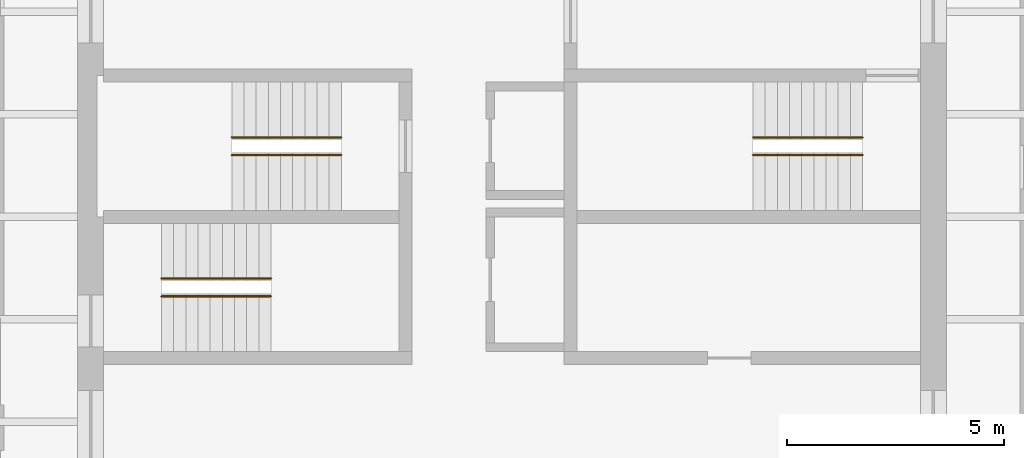
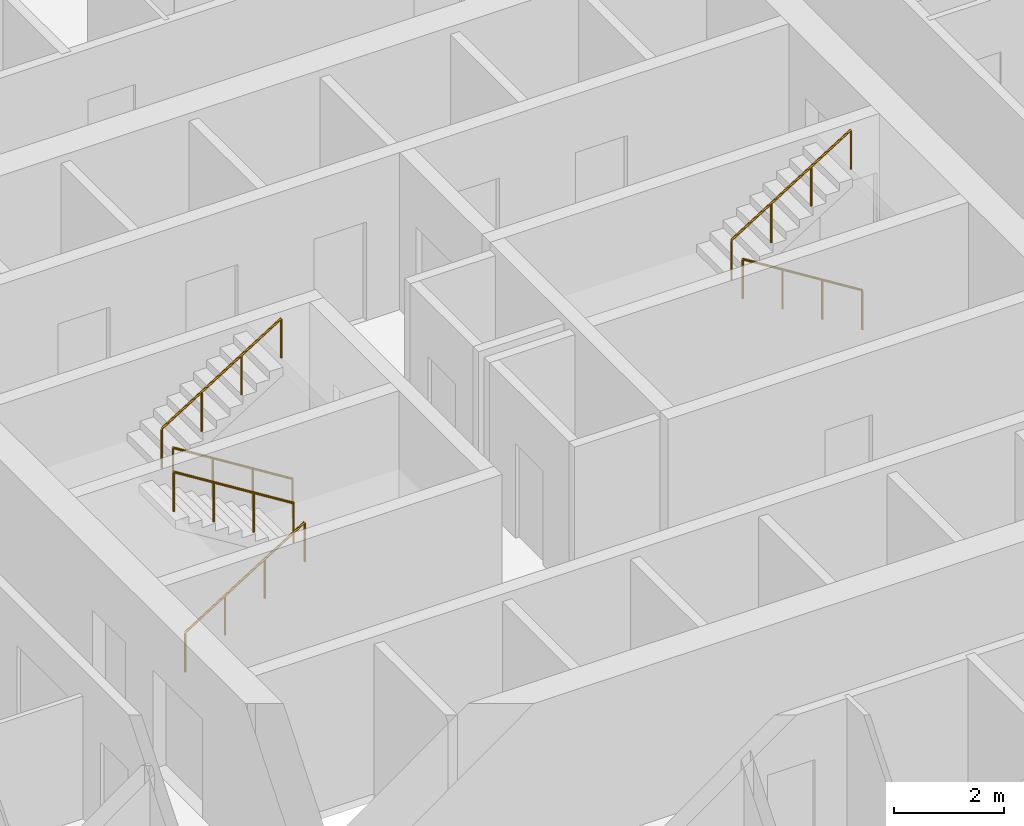
# One storey, part 9 of 9: 6 railings.
"""IFC4 building model written with IfcOpenShell, lengths in metres."""

from ifc_helpers import new_model, si_unit, direction, frame, origin, origin_2d, place, context, subcontext, project, spatial, circle, extrude, material, type_object, element, save


model = new_model("IFC4")

# Units and contexts
model_context = context("Model", 3, precision=1e-05, world=origin(), true_north=direction((0.0, 1.0)))
body_context = subcontext(model_context, "Body", "Model", "MODEL_VIEW")
ifc_project = project(units=[si_unit("LENGTHUNIT", "METRE"), si_unit("AREAUNIT", "SQUARE_METRE"), si_unit("VOLUMEUNIT", "CUBIC_METRE"), si_unit("PLANEANGLEUNIT", "RADIAN"), si_unit("MASSUNIT", "GRAM", prefix="KILO")], contexts=[model_context])

# Site, building, storey
site_placement = place(None, origin())
site = spatial("IfcSite", under=ifc_project, at=site_placement, CompositionType="ELEMENT")
building_placement = place(site_placement, origin())
building = spatial("IfcBuilding", under=site, at=building_placement, Name="Turquesa Mirador Hotel Tower", CompositionType="ELEMENT")
storey_placement = place(building_placement, frame((0.0, 0.0, 93.39990234375)))
storey = spatial("IfcBuildingStorey", under=building, at=storey_placement, Name="L24", CompositionType="ELEMENT", Elevation=93.39990234375)

# Railings
ifc_material = material(Name="Painted steel handrail", Category="steel")
railing_type = type_object("IfcRailingType", Name="HANDRAIL 900 STEEL", PredefinedType="HANDRAIL", material=ifc_material)
railing_1_placement = place(storey_placement, frame((51.070068359375, 46.419921875, 0.175048828125)))
element("IfcRailing", 1, at=railing_1_placement, inside=storey, type_object=railing_type, Name="Handrail ST1", PredefinedType="HANDRAIL", context=body_context, shape_type="SweptSolid", body=[
    extrude(circle(Radius=0.02392578125, at=origin_2d()), frame((0.0, 0.0, 0.8759765625), z_axis=(-0.848007534815, 0.0, 0.529984170421), x_axis=(0.0, -1.0, 0.0)), (0.0, 0.0, 1.0), 2.9716796875),
    extrude(circle(Radius=0.02099609375, at=origin_2d()), origin(), (0.0, 0.0, 1.0), 0.851806640625),
    extrude(circle(Radius=0.02099609375, at=origin_2d()), frame((-0.840087890625, 0.0, 0.52490234375)), (0.0, 0.0, 1.0), 0.851806640625),
    extrude(circle(Radius=0.02099609375, at=origin_2d()), frame((-1.679931640625, 0.0, 1.050048828125)), (0.0, 0.0, 1.0), 0.851806640625),
    extrude(circle(Radius=0.02099609375, at=origin_2d()), frame((-2.52001953125, 0.0, 1.574951171875)), (0.0, 0.0, 1.0), 0.851806640625),
])
for number, where, name in (
    (2, (48.550048828125, 46.830078125, 1.925048828125), "Handrail ST1"),
    (3, (46.929931640625, 43.169921875, 0.175048828125), "Handrail ST2"),
):
    element("IfcRailing", number, at=place(storey_placement, frame(where)), inside=storey, type_object=railing_type, Name=name, PredefinedType="HANDRAIL", context=body_context, shape_type="SweptSolid", body=[
        extrude(circle(Radius=0.02392578125, at=origin_2d()), frame((0.0, 0.0, 0.8759765625), z_axis=(0.848007534815, 0.0, 0.529984170421), x_axis=(0.0, 1.0, 0.0)), (0.0, 0.0, 1.0), 2.9716796875),
        extrude(circle(Radius=0.02099609375, at=origin_2d()), origin(), (0.0, 0.0, 1.0), 0.851806640625),
        extrude(circle(Radius=0.02099609375, at=origin_2d()), frame((0.840087890625, 0.0, 0.52490234375)), (0.0, 0.0, 1.0), 0.851806640625),
        extrude(circle(Radius=0.02099609375, at=origin_2d()), frame((1.679931640625, 0.0, 1.050048828125)), (0.0, 0.0, 1.0), 0.851806640625),
        extrude(circle(Radius=0.02099609375, at=origin_2d()), frame((2.52001953125, 0.0, 1.574951171875)), (0.0, 0.0, 1.0), 0.851806640625),
    ])
for number, where, name in (
    (4, (49.449951171875, 43.580078125, 1.925048828125), "Handrail ST2"),
    (5, (63.070068359375, 46.419921875, 0.175048828125), "Handrail ST3"),
):
    element("IfcRailing", number, at=place(storey_placement, frame(where)), inside=storey, type_object=railing_type, Name=name, PredefinedType="HANDRAIL", context=body_context, shape_type="SweptSolid", body=[
        extrude(circle(Radius=0.02392578125, at=origin_2d()), frame((0.0, 0.0, 0.8759765625), z_axis=(-0.848007534815, 0.0, 0.529984170421), x_axis=(0.0, -1.0, 0.0)), (0.0, 0.0, 1.0), 2.9716796875),
        extrude(circle(Radius=0.02099609375, at=origin_2d()), origin(), (0.0, 0.0, 1.0), 0.851806640625),
        extrude(circle(Radius=0.02099609375, at=origin_2d()), frame((-0.840087890625, 0.0, 0.52490234375)), (0.0, 0.0, 1.0), 0.851806640625),
        extrude(circle(Radius=0.02099609375, at=origin_2d()), frame((-1.679931640625, 0.0, 1.050048828125)), (0.0, 0.0, 1.0), 0.851806640625),
        extrude(circle(Radius=0.02099609375, at=origin_2d()), frame((-2.52001953125, 0.0, 1.574951171875)), (0.0, 0.0, 1.0), 0.851806640625),
    ])
railing_2_placement = place(storey_placement, frame((60.550048828125, 46.830078125, 1.925048828125)))
element("IfcRailing", 6, at=railing_2_placement, inside=storey, type_object=railing_type, Name="Handrail ST3", PredefinedType="HANDRAIL", context=body_context, shape_type="SweptSolid", body=[
    extrude(circle(Radius=0.02392578125, at=origin_2d()), frame((0.0, 0.0, 0.8759765625), z_axis=(0.848007534815, 0.0, 0.529984170421), x_axis=(0.0, 1.0, 0.0)), (0.0, 0.0, 1.0), 2.9716796875),
    extrude(circle(Radius=0.02099609375, at=origin_2d()), origin(), (0.0, 0.0, 1.0), 0.851806640625),
    extrude(circle(Radius=0.02099609375, at=origin_2d()), frame((0.840087890625, 0.0, 0.52490234375)), (0.0, 0.0, 1.0), 0.851806640625),
    extrude(circle(Radius=0.02099609375, at=origin_2d()), frame((1.679931640625, 0.0, 1.050048828125)), (0.0, 0.0, 1.0), 0.851806640625),
    extrude(circle(Radius=0.02099609375, at=origin_2d()), frame((2.52001953125, 0.0, 1.574951171875)), (0.0, 0.0, 1.0), 0.851806640625),
])

save(model, "model.ifc")
